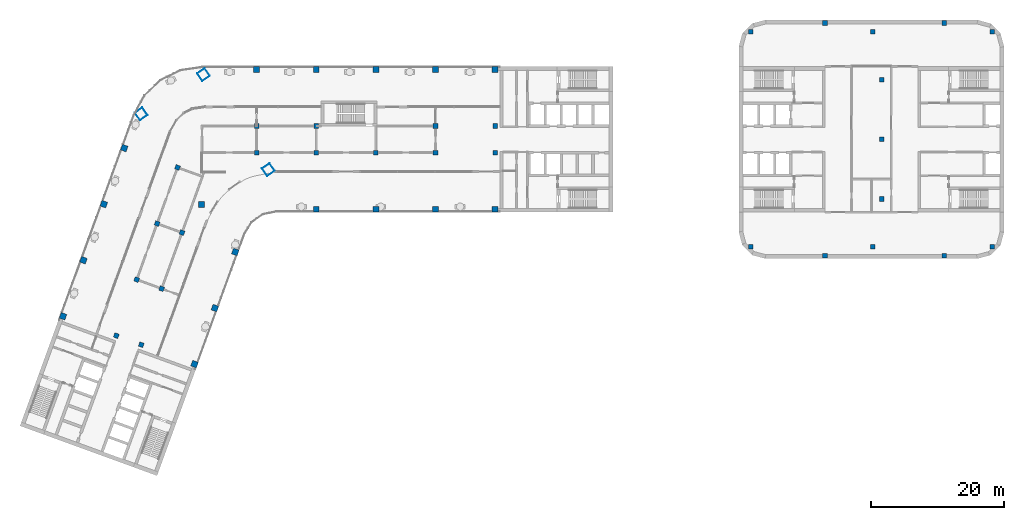
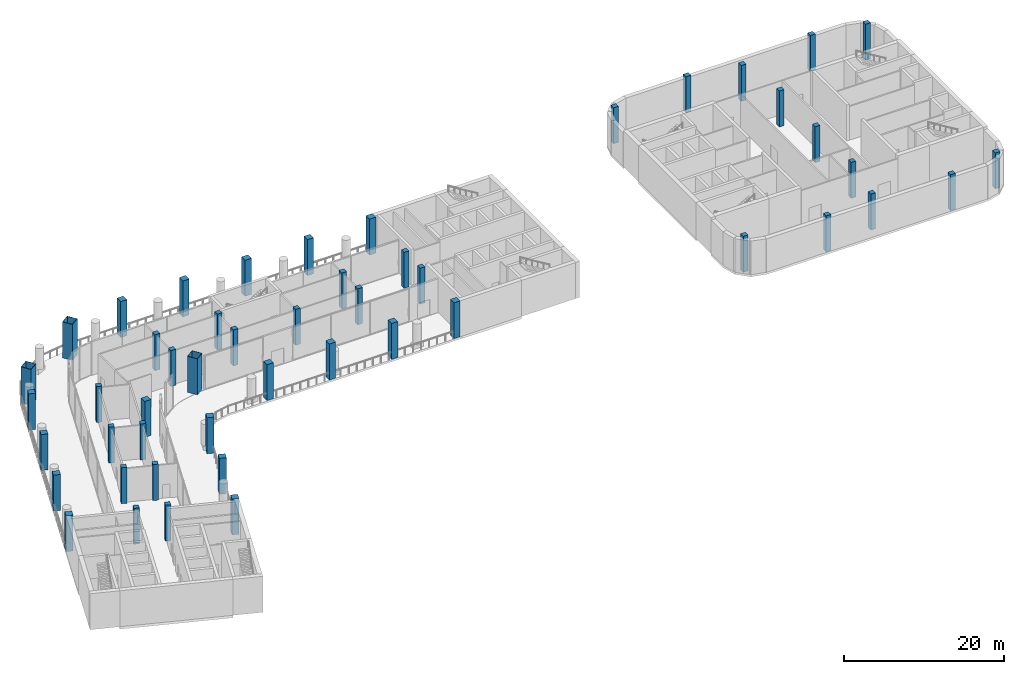
# One storey, part 1 of 19: 49 columns.
"""IFC4 building model written with IfcOpenShell, lengths in metres."""

from ifc_helpers import new_model, si_unit, direction, frame, origin, origin_2d, place, context, subcontext, project, spatial, rectangle, hollow_rectangle, extrude, material, material_profile, profile_set, type_object, element, save


model = new_model("IFC4")

# Units and contexts
model_context = context("Model", 3, precision=1e-05, world=origin(), true_north=direction((0.0, 1.0)))
body_context = subcontext(model_context, "Body", "Model", "MODEL_VIEW")
ifc_project = project(units=[si_unit("LENGTHUNIT", "METRE"), si_unit("AREAUNIT", "SQUARE_METRE"), si_unit("VOLUMEUNIT", "CUBIC_METRE"), si_unit("PLANEANGLEUNIT", "RADIAN"), si_unit("MASSUNIT", "GRAM", prefix="KILO")], contexts=[model_context])

# Site, building, storey
site_placement = place(None, origin())
site = spatial("IfcSite", under=ifc_project, at=site_placement, CompositionType="ELEMENT")
building_placement = place(site_placement, origin())
building = spatial("IfcBuilding", under=site, at=building_placement, Name="Skarvind Civic Tower", CompositionType="ELEMENT")
storey_placement = place(building_placement, frame((0.0, 0.0, 75.5)))
storey = spatial("IfcBuildingStorey", under=building, at=storey_placement, Name="L17", CompositionType="ELEMENT", Elevation=75.5)

# Columns
ifc_material_1 = material(Name="Concrete C60", Category="concrete")
ifc_material_profile_1 = material_profile(ifc_material_1, rectangle(XDim=0.699951171875, YDim=0.699951171875, at=origin_2d()), Name="RC-700x700")
ifc_profile_set_1 = profile_set([ifc_material_profile_1], Name="Concrete C60")
column_type_1 = type_object("IfcColumnType", Name="Column RC-700x700 C60", PredefinedType="COLUMN", material=ifc_profile_set_1)
for number, where, z_axis, x_axis, name in (
    (1, (54.25, 130.0, 0.0), (0.0, 0.0, 1.0), (1.0, 0.0, 0.0), "Column wing 1 north inner 02 L17"),
    (2, (63.25, 130.0, 0.0), (0.0, 0.0, 1.0), (1.0, 0.0, 0.0), "Column wing 1 north inner 03 L17"),
    (3, (81.25, 130.0, 0.0), (0.0, 0.0, 1.0), (1.0, 0.0, 0.0), "Column wing 1 north inner 05 L17"),
    (4, (90.25, 130.0, 0.0), (0.0, 0.0, 1.0), (1.0, 0.0, 0.0), "Column wing 1 north inner 06 L17"),
    (5, (54.25, 126.0, 0.0), (0.0, 0.0, 1.0), (1.0, 0.0, 0.0), "Column wing 1 south inner 02 L17"),
    (6, (63.25, 126.0, 0.0), (0.0, 0.0, 1.0), (1.0, 0.0, 0.0), "Column wing 1 south inner 03 L17"),
    (7, (72.25, 126.0, 0.0), (0.0, 0.0, 1.0), (1.0, 0.0, 0.0), "Column wing 1 south inner 04 L17"),
    (8, (81.25, 126.0, 0.0), (0.0, 0.0, 1.0), (1.0, 0.0, 0.0), "Column wing 1 south inner 05 L17"),
    (9, (90.25, 126.0, 0.0), (0.0, 0.0, 1.0), (1.0, 0.0, 0.0), "Column wing 1 south inner 06 L17"),
    (10, (43.005615234375, 113.92529296875, 0.0), (0.0, 0.0, 1.0), (-0.342020143326, -0.939692620786, 0.0), "Column wing 2 left inner 02 L17"),
    (11, (39.927490234375, 105.468017578125, 0.0), (0.0, 0.0, 1.0), (-0.342020143326, -0.939692620786, 0.0), "Column wing 2 left inner 03 L17"),
    (12, (36.84912109375, 97.010986328125, 0.0), (0.0, 0.0, 1.0), (-0.342020143326, -0.939692620786, 0.0), "Column wing 2 left inner 04 L17"),
    (13, (42.324951171875, 123.750732421875, 0.0), (0.0, 0.0, 1.0), (-0.342020143326, -0.939692620786, 0.0), "Column wing 2 right inner 01 L17"),
    (14, (39.246826171875, 115.29345703125, 0.0), (0.0, 0.0, 1.0), (-0.342020143326, -0.939692620786, 0.0), "Column wing 2 right inner 02 L17"),
    (15, (36.168701171875, 106.836181640625, 0.0), (0.0, 0.0, 1.0), (-0.342020143326, -0.939692620786, 0.0), "Column wing 2 right inner 03 L17"),
    (16, (33.090576171875, 98.37890625, 0.0), (0.0, 0.0, 1.0), (-0.342020143326, -0.939692620786, 0.0), "Column wing 2 right inner 04 L17"),
    (17, (128.777099609375, 144.222900390625, 0.0), (0.0, 0.0, 1.0), (1.0, 0.0, 0.0), "Column second tower north-west corner L17"),
    (18, (128.777099609375, 111.777099609375, 0.0), (0.0, 0.0, 1.0), (1.0, 0.0, 0.0), "Column second tower south-west corner L17"),
    (19, (148.550048828125, 119.0, 0.0), (0.0, 0.0, 1.0), (1.0, 0.0, 0.0), "Column second tower middle line 01 L17"),
    (20, (148.550048828125, 128.0, 0.0), (0.0, 0.0, 1.0), (1.0, 0.0, 0.0), "Column second tower middle line 02 L17"),
    (21, (148.550048828125, 137.0, 0.0), (0.0, 0.0, 1.0), (1.0, 0.0, 0.0), "Column second tower middle line 03 L17"),
    (22, (140.0, 145.550048828125, 0.0), (0.0, 0.0, 1.0), (1.0, 0.0, 0.0), "Column second tower north perimeter 02 L17"),
    (23, (147.222900390625, 144.222900390625, 0.0), (0.0, 0.0, 1.0), (1.0, 0.0, 0.0), "Column second tower north perimeter 03 L17"),
    (24, (140.0, 110.449951171875, 0.0), (0.0, 0.0, 1.0), (1.0, 0.0, 0.0), "Column second tower south perimeter 02 L17"),
    (25, (147.222900390625, 111.777099609375, 0.0), (0.0, 0.0, 1.0), (1.0, 0.0, 0.0), "Column second tower south perimeter 03 L17"),
    (26, (165.222900390625, 144.222900390625, 0.0), (0.0, 0.0, 1.0), (1.0, 0.0, 0.0), "Column second tower north-east corner L17"),
    (27, (165.222900390625, 111.777099609375, 0.0), (0.0, 0.0, 1.0), (1.0, 0.0, 0.0), "Column second tower south-east corner L17"),
    (28, (158.0, 145.550048828125, 0.0), (0.0, 0.0, 1.0), (1.0, 0.0, 0.0), "Column second tower north perimeter 04 L17"),
    (29, (158.0, 110.449951171875, 0.0), (0.0, 0.0, 1.0), (1.0, 0.0, 0.0), "Column second tower south perimeter 04 L17"),
):
    element("IfcColumn", number, at=place(storey_placement, frame(where, z_axis=z_axis, x_axis=x_axis)), inside=storey, type_object=column_type_1, Name=name, PredefinedType="COLUMN", context=body_context, shape_type="SweptSolid", body=[
        extrude(rectangle(XDim=0.699951171875, YDim=0.699951171875, at=origin_2d()), origin(), (0.0, 0.0, 1.0), 5.5),
    ])
ifc_material_2 = material(Name="Concrete C80", Category="concrete")
ifc_material_profile_2 = material_profile(ifc_material_2, rectangle(XDim=0.89990234375, YDim=0.89990234375, at=origin_2d()), Name="RC-900x900")
ifc_profile_set_2 = profile_set([ifc_material_profile_2], Name="Concrete C80")
column_type_2 = type_object("IfcColumnType", Name="Column RC-900x900 C80", PredefinedType="COLUMN", material=ifc_profile_set_2)
for number, where, z_axis, x_axis, name in (
    (30, (54.25, 138.550048828125, 0.0), (0.0, 0.0, 1.0), (1.0, 0.0, 0.0), "Column wing 1 north perimeter 02 L17"),
    (31, (63.25, 138.550048828125, 0.0), (0.0, 0.0, 1.0), (1.0, 0.0, 0.0), "Column wing 1 north perimeter 03 L17"),
    (32, (72.25, 138.550048828125, 0.0), (0.0, 0.0, 1.0), (1.0, 0.0, 0.0), "Column wing 1 north perimeter 04 L17"),
    (33, (81.25, 138.550048828125, 0.0), (0.0, 0.0, 1.0), (1.0, 0.0, 0.0), "Column wing 1 north perimeter 05 L17"),
    (34, (90.25, 138.550048828125, 0.0), (0.0, 0.0, 1.0), (1.0, 0.0, 0.0), "Column wing 1 north perimeter 06 L17"),
    (35, (45.95166015625, 118.151611328125, 0.0), (0.0, 0.0, 1.0), (1.0, 0.0, 0.0), "Column wing 1 south perimeter 01 L17"),
    (36, (63.25, 117.449951171875, 0.0), (0.0, 0.0, 1.0), (1.0, 0.0, 0.0), "Column wing 1 south perimeter 03 L17"),
    (37, (72.25, 117.449951171875, 0.0), (0.0, 0.0, 1.0), (1.0, 0.0, 0.0), "Column wing 1 south perimeter 04 L17"),
    (38, (81.25, 117.449951171875, 0.0), (0.0, 0.0, 1.0), (1.0, 0.0, 0.0), "Column wing 1 south perimeter 05 L17"),
    (39, (90.25, 117.449951171875, 0.0), (0.0, 0.0, 1.0), (1.0, 0.0, 0.0), "Column wing 1 south perimeter 06 L17"),
    (40, (51.0400390625, 111.0009765625, 0.0), (0.0, 0.0, 1.0), (-0.342020143326, -0.939692620786, 0.0), "Column wing 2 left perimeter 02 L17"),
    (41, (47.961669921875, 102.5439453125, 0.0), (0.0, 0.0, 1.0), (-0.342020143326, -0.939692620786, 0.0), "Column wing 2 left perimeter 03 L17"),
    (42, (44.883544921875, 94.086669921875, 0.0), (0.0, 0.0, 1.0), (-0.342020143326, -0.939692620786, 0.0), "Column wing 2 left perimeter 04 L17"),
    (43, (34.29052734375, 126.6748046875, 0.0), (0.0, 0.0, 1.0), (-0.342020143326, -0.939692620786, 0.0), "Column wing 2 right perimeter 01 L17"),
    (44, (31.21240234375, 118.2177734375, 0.0), (0.0, 0.0, 1.0), (-0.342020143326, -0.939692620786, 0.0), "Column wing 2 right perimeter 02 L17"),
    (45, (28.13427734375, 109.760498046875, 0.0), (0.0, 0.0, 1.0), (-0.342020143326, -0.939692620786, 0.0), "Column wing 2 right perimeter 03 L17"),
    (46, (25.05615234375, 101.30322265625, 0.0), (0.0, 0.0, 1.0), (-0.342020143326, -0.939692620786, 0.0), "Column wing 2 right perimeter 04 L17"),
):
    element("IfcColumn", number, at=place(storey_placement, frame(where, z_axis=z_axis, x_axis=x_axis)), inside=storey, type_object=column_type_2, Name=name, PredefinedType="COLUMN", context=body_context, shape_type="SweptSolid", body=[
        extrude(rectangle(XDim=0.89990234375, YDim=0.89990234375, at=origin_2d()), origin(), (0.0, 0.0, 1.0), 5.5),
    ])
ifc_material_3 = material(Name="Composite concrete-filled steel tube, Steel SM355 with Concrete C80", Category="concrete")
ifc_material_profile_3 = material_profile(ifc_material_3, hollow_rectangle(XDim=1.39990234375, YDim=1.39990234375, WallThickness=0.0400390625, at=origin_2d()), Name="BOX-1400x1400x40")
ifc_profile_set_3 = profile_set([ifc_material_profile_3], Name="Composite concrete-filled steel tube, Steel SM355 with Concrete C80")
column_type_3 = type_object("IfcColumnType", Name="Mega column BOX-1400x1400x40 filled C80", PredefinedType="COLUMN", material=ifc_profile_set_3)
for number, where, z_axis, x_axis, name in (
    (47, (36.845947265625, 131.837646484375, 0.0), (0.0, 0.0, 1.0), (0.573576436351, -0.819152044289, 0.0), "Mega column 1 L17"),
    (48, (46.2470703125, 137.762451171875, 0.0), (0.0, 0.0, 1.0), (0.573576436351, -0.819152044289, 0.0), "Mega column 2 L17"),
    (49, (56.0361328125, 123.43017578125, 0.0), (0.0, 0.0, 1.0), (0.573576436351, -0.819152044289, 0.0), "Mega column 4 L17"),
):
    element("IfcColumn", number, at=place(storey_placement, frame(where, z_axis=z_axis, x_axis=x_axis)), inside=storey, type_object=column_type_3, Name=name, PredefinedType="COLUMN", context=body_context, shape_type="SweptSolid", body=[
        extrude(hollow_rectangle(XDim=1.39990234375, YDim=1.39990234375, WallThickness=0.0400390625, at=origin_2d()), origin(), (0.0, 0.0, 1.0), 5.5),
    ])

save(model, "model.ifc")
